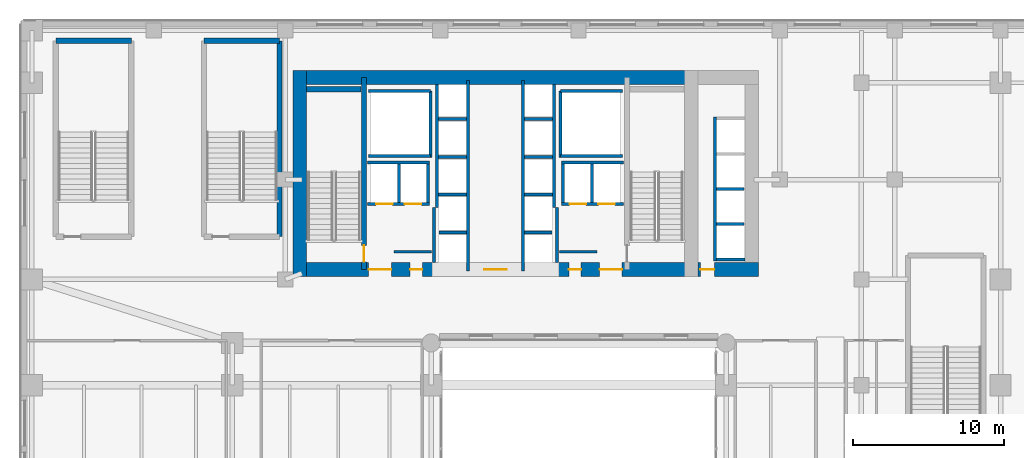
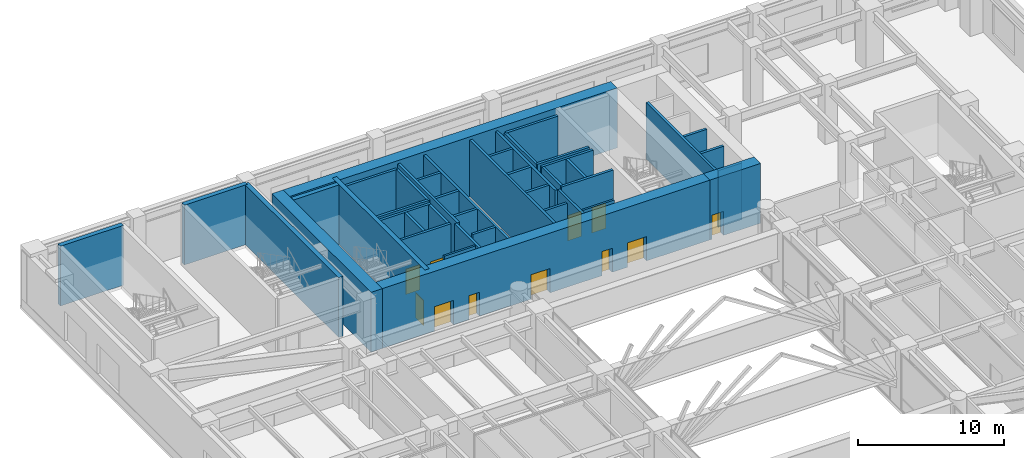
# One storey, part 29 of 39: 43 walls, 11 doors, 11 openings.
"""IFC4 building model written with IfcOpenShell, lengths in metres."""

from ifc_helpers import new_model, si_unit, direction, frame, frame_2d, origin, place, context, subcontext, project, spatial, rectangle, extrude, source, transform, mapped, material, layer, layer_set, type_object, type_shapes, element, fill, save


model = new_model("IFC4")

# Units and contexts
model_context = context("Model", 3, precision=1e-05, world=origin(), true_north=direction((0.0, 1.0)))
body_context = subcontext(model_context, "Body", "Model", "MODEL_VIEW")
ifc_project = project(units=[si_unit("LENGTHUNIT", "METRE"), si_unit("AREAUNIT", "SQUARE_METRE"), si_unit("VOLUMEUNIT", "CUBIC_METRE"), si_unit("PLANEANGLEUNIT", "RADIAN"), si_unit("MASSUNIT", "GRAM", prefix="KILO")], contexts=[model_context])

# Site, building, storey
site_placement = place(None, origin())
site = spatial("IfcSite", under=ifc_project, at=site_placement, CompositionType="ELEMENT")
building_placement = place(site_placement, origin())
building = spatial("IfcBuilding", under=site, at=building_placement, Name="Tolvann Quenvar Hotel", CompositionType="ELEMENT")
storey_placement = place(building_placement, frame((0.0, 0.0, 11.0)))
storey = spatial("IfcBuildingStorey", under=building, at=storey_placement, Name="L02", CompositionType="ELEMENT", Elevation=11.0)

# Wall, openings, doors
ifc_material_1 = material(Name="Concrete S80 (80 MPa)", Category="concrete")
ifc_layer_1 = layer(ifc_material_1, 0.89990234375)
ifc_layer_set_1 = layer_set([ifc_layer_1], Name="Concrete S80 (80 MPa)")
wall_type_1 = type_object("IfcWallType", Name="WALL_CORE_900", PredefinedType="SHEAR", material=ifc_layer_set_1)
wall_1_placement = place(storey_placement, frame((9.60009765625, 32.050048828125, 0.0), z_axis=(0.0, 0.0, 1.0), x_axis=(1.0, 0.0, 0.0)))
wall_1 = element("IfcWall", 1, at=wall_1_placement, inside=storey, type_object=wall_type_1, Name="Rear Core S Shear Wall (L02)", PredefinedType="SHEAR", context=body_context, shape_type="SweptSolid", body=[
    extrude(rectangle(XDim=26.7998046875, YDim=0.89990234375, at=frame_2d((13.39990234375, 0.0))), origin(), (0.0, 0.0, 1.0), 5.0),
])
opening_1_placement = place(wall_1_placement, frame((6.52001953125, 0.0, 0.0), z_axis=(0.0, 0.0, 1.0), x_axis=(-1.0, 0.0, 0.0)))
opening_1 = element("IfcOpeningElement", 2, at=opening_1_placement, cuts=wall_1, Name="Opening FD-60D", PredefinedType="OPENING", context=body_context, shape_type="SweptSolid", body=[
    extrude(rectangle(XDim=1.5, YDim=2.0400390625, at=frame_2d((0.75, 1.02001953125))), frame((0.0, 0.4599609375, 0.0), z_axis=(0.0, -1.0, 0.0), x_axis=(1.0, 0.0, 0.0)), (0.0, 0.0, 1.0), 0.919921875),
])
opening_2_placement = place(wall_1_placement, frame((14.14990234375, 0.0, 0.0), z_axis=(0.0, 0.0, 1.0), x_axis=(-1.0, 0.0, 0.0)))
opening_2 = element("IfcOpeningElement", 3, at=opening_2_placement, cuts=wall_1, Name="Opening FD-60D", PredefinedType="OPENING", context=body_context, shape_type="SweptSolid", body=[
    extrude(rectangle(XDim=1.5, YDim=2.0400390625, at=frame_2d((0.75, 1.02001953125))), frame((0.0, 0.4599609375, 0.0), z_axis=(0.0, -1.0, 0.0), x_axis=(1.0, 0.0, 0.0)), (0.0, 0.0, 1.0), 0.919921875),
])
opening_3_placement = place(wall_1_placement, frame((21.780029296875, 0.0, 0.0), z_axis=(0.0, 0.0, 1.0), x_axis=(-1.0, 0.0, 0.0)))
opening_3 = element("IfcOpeningElement", 4, at=opening_3_placement, cuts=wall_1, Name="Opening FD-60D", PredefinedType="OPENING", context=body_context, shape_type="SweptSolid", body=[
    extrude(rectangle(XDim=1.5, YDim=2.0400390625, at=frame_2d((0.75, 1.02001953125))), frame((0.0, 0.4599609375, 0.0), z_axis=(0.0, -1.0, 0.0), x_axis=(1.0, 0.0, 0.0)), (0.0, 0.0, 1.0), 0.919921875),
])
opening_4_placement = place(wall_1_placement, frame((8.570068359375, 0.0, 0.0), z_axis=(0.0, 0.0, 1.0), x_axis=(-1.0, 0.0, 0.0)))
opening_4 = element("IfcOpeningElement", 5, at=opening_4_placement, cuts=wall_1, Name="Opening HD-02", PredefinedType="OPENING", context=body_context, shape_type="SweptSolid", body=[
    extrude(rectangle(XDim=0.820068359375, YDim=2.010009765625, at=frame_2d((0.41015625, 1.0048828125))), frame((0.0, 0.4599609375, 0.0), z_axis=(0.0, -1.0, 0.0), x_axis=(1.0, 0.0, 0.0)), (0.0, 0.0, 1.0), 0.919921875),
])
opening_5_placement = place(wall_1_placement, frame((19.070068359375, 0.0, 0.0), z_axis=(0.0, 0.0, 1.0), x_axis=(-1.0, 0.0, 0.0)))
opening_5 = element("IfcOpeningElement", 6, at=opening_5_placement, cuts=wall_1, Name="Opening HD-02", PredefinedType="OPENING", context=body_context, shape_type="SweptSolid", body=[
    extrude(rectangle(XDim=0.820068359375, YDim=2.010009765625, at=frame_2d((0.41015625, 1.0048828125))), frame((0.0, 0.4599609375, 0.0), z_axis=(0.0, -1.0, 0.0), x_axis=(1.0, 0.0, 0.0)), (0.0, 0.0, 1.0), 0.919921875),
])
ifc_material_2 = material(Name="Solid-core American oak acoustic fire door leaf in steel frame", Category="steel")
door_type_1 = type_object("IfcDoorType", Name="DOOR_FIRE_LOBBY_1500", OperationType="NOTDEFINED", PredefinedType="DOOR", material=ifc_material_2)
shared_shape_1 = source(origin(), body_context, "Body", "SweptSolid", [
    extrude(rectangle(XDim=1.5, YDim=2.0400390625, at=frame_2d((0.75, 1.02001953125))), frame((0.0, 0.02490234375, 0.0), z_axis=(0.0, -1.0, 0.0), x_axis=(1.0, 0.0, 0.0)), (0.0, 0.0, 1.0), 0.050048828125),
])
type_shapes(door_type_1, [shared_shape_1])
door_1_placement = place(opening_1_placement, origin())
door_1 = element("IfcDoor", 7, at=door_1_placement, inside=storey, type_object=door_type_1, Name="Core Lobby Fire Door FFW (L02)", OperationType="DOUBLE_DOOR_SINGLE_SWING", OverallHeight=2.0400390625, OverallWidth=1.5, PredefinedType="DOOR", context=body_context, shape_type="MappedRepresentation", body=[
    mapped(shared_shape_1, transform((0.0, 0.0, 0.0), x_axis=(1.0, 0.0, 0.0), y_axis=(0.0, 1.0, 0.0), z_axis=(0.0, 0.0, 1.0), scale=1.0)),
])
fill(opening_1, door_1)
door_2_placement = place(opening_2_placement, origin())
door_2 = element("IfcDoor", 8, at=door_2_placement, inside=storey, type_object=door_type_1, Name="Core Lobby Fire Door CLOB (L02)", OperationType="DOUBLE_DOOR_SINGLE_SWING", OverallHeight=2.0400390625, OverallWidth=1.5, PredefinedType="DOOR", context=body_context, shape_type="MappedRepresentation", body=[
    mapped(shared_shape_1, transform((0.0, 0.0, 0.0), x_axis=(1.0, 0.0, 0.0), y_axis=(0.0, 1.0, 0.0), z_axis=(0.0, 0.0, 1.0), scale=1.0)),
])
fill(opening_2, door_2)
door_3_placement = place(opening_3_placement, origin())
door_3 = element("IfcDoor", 9, at=door_3_placement, inside=storey, type_object=door_type_1, Name="Core Lobby Fire Door FFE (L02)", OperationType="DOUBLE_DOOR_SINGLE_SWING", OverallHeight=2.0400390625, OverallWidth=1.5, PredefinedType="DOOR", context=body_context, shape_type="MappedRepresentation", body=[
    mapped(shared_shape_1, transform((0.0, 0.0, 0.0), x_axis=(1.0, 0.0, 0.0), y_axis=(0.0, 1.0, 0.0), z_axis=(0.0, 0.0, 1.0), scale=1.0)),
])
fill(opening_3, door_3)
ifc_material_3 = material(Name="Pressed galvanised steel fire-rated door set", Category="steel")
door_type_2 = type_object("IfcDoorType", Name="DOOR_STORE_820", OperationType="NOTDEFINED", PredefinedType="DOOR", material=ifc_material_3)
shared_shape_2 = source(origin(), body_context, "Body", "SweptSolid", [
    extrude(rectangle(XDim=0.820068359375, YDim=2.010009765625, at=frame_2d((0.41015625, 1.0048828125))), frame((0.0, 0.02490234375, 0.0), z_axis=(0.0, -1.0, 0.0), x_axis=(1.0, 0.0, 0.0)), (0.0, 0.0, 1.0), 0.050048828125),
])
type_shapes(door_type_2, [shared_shape_2])
door_4_placement = place(opening_4_placement, origin())
door_4 = element("IfcDoor", 10, at=door_4_placement, inside=storey, type_object=door_type_2, Name="Core Linen Store Fire Door (L02)", OperationType="SINGLE_SWING_RIGHT", OverallHeight=2.010009765625, OverallWidth=0.820068359375, PredefinedType="DOOR", context=body_context, shape_type="MappedRepresentation", body=[
    mapped(shared_shape_2, transform((0.0, 0.0, 0.0), x_axis=(1.0, 0.0, 0.0), y_axis=(0.0, 1.0, 0.0), z_axis=(0.0, 0.0, 1.0), scale=1.0)),
])
fill(opening_4, door_4)
door_5_placement = place(opening_5_placement, origin())
door_5 = element("IfcDoor", 11, at=door_5_placement, inside=storey, type_object=door_type_2, Name="Core Comms Closet Fire Door (L02)", OperationType="SINGLE_SWING_LEFT", OverallHeight=2.010009765625, OverallWidth=0.820068359375, PredefinedType="DOOR", context=body_context, shape_type="MappedRepresentation", body=[
    mapped(shared_shape_2, transform((0.0, 0.0, 0.0), x_axis=(1.0, 0.0, 0.0), y_axis=(0.0, 1.0, 0.0), z_axis=(0.0, 0.0, 1.0), scale=1.0)),
])
fill(opening_5, door_5)

# Walls
wall_2_placement = place(storey_placement, frame((9.60009765625, 44.75, 0.0), z_axis=(0.0, 0.0, 1.0), x_axis=(1.0, 0.0, 0.0)))
element("IfcWall", 12, at=wall_2_placement, inside=storey, type_object=wall_type_1, Name="Rear Core N Shear Wall (L02)", PredefinedType="SHEAR", context=body_context, shape_type="SweptSolid", body=[
    extrude(rectangle(XDim=26.7998046875, YDim=0.89990234375, at=frame_2d((13.39990234375, 0.0))), origin(), (0.0, 0.0, 1.0), 5.0),
])
wall_3_placement = place(storey_placement, frame((10.050048828125, 31.60009765625, 0.0), z_axis=(0.0, 0.0, 1.0), x_axis=(0.0, 1.0, 0.0)))
element("IfcWall", 13, at=wall_3_placement, inside=storey, type_object=wall_type_1, Name="Rear Core W Shear Wall (L02)", PredefinedType="SHEAR", context=body_context, shape_type="SweptSolid", body=[
    extrude(rectangle(XDim=13.599853515625, YDim=0.89990234375, at=frame_2d((6.7998046875, 0.0))), origin(), (0.0, 0.0, 1.0), 5.0),
])

# Wall, opening, door
wall_4_placement = place(storey_placement, frame((36.39990234375, 32.050048828125, 0.0), z_axis=(0.0, 0.0, 1.0), x_axis=(1.0, 0.0, 0.0)))
wall_4 = element("IfcWall", 14, at=wall_4_placement, inside=storey, type_object=wall_type_1, Name="Core East Annex Shear Wall ANN-S (L02)", PredefinedType="SHEAR", context=body_context, shape_type="SweptSolid", body=[
    extrude(rectangle(XDim=4.0, YDim=0.89990234375, at=frame_2d((2.0, 0.0))), origin(), (0.0, 0.0, 1.0), 5.0),
])
opening_6_placement = place(wall_4_placement, frame((1.06982421875, 0.0, 0.0), z_axis=(0.0, 0.0, 1.0), x_axis=(-1.0, 0.0, 0.0)))
opening_6 = element("IfcOpeningElement", 15, at=opening_6_placement, cuts=wall_4, Name="Opening WD-01", PredefinedType="OPENING", context=body_context, shape_type="SweptSolid", body=[
    extrude(rectangle(XDim=0.919921875, YDim=2.010009765625, at=frame_2d((0.4599609375, 1.0048828125))), frame((0.0, 0.4599609375, 0.0), z_axis=(0.0, -1.0, 0.0), x_axis=(1.0, 0.0, 0.0)), (0.0, 0.0, 1.0), 0.919921875),
])
door_type_3 = type_object("IfcDoorType", Name="DOOR_WC_920", OperationType="NOTDEFINED", PredefinedType="DOOR", material=ifc_material_2)
shared_shape_3 = source(origin(), body_context, "Body", "SweptSolid", [
    extrude(rectangle(XDim=0.919921875, YDim=2.010009765625, at=frame_2d((0.4599609375, 1.0048828125))), frame((0.0, 0.02490234375, 0.0), z_axis=(0.0, -1.0, 0.0), x_axis=(1.0, 0.0, 0.0)), (0.0, 0.0, 1.0), 0.050048828125),
])
type_shapes(door_type_3, [shared_shape_3])
door_6_placement = place(opening_6_placement, origin())
door_6 = element("IfcDoor", 16, at=door_6_placement, inside=storey, type_object=door_type_3, Name="Low-Rise Lift Lobby Fire Door (L02)", OperationType="SINGLE_SWING_RIGHT", OverallHeight=2.010009765625, OverallWidth=0.919921875, PredefinedType="DOOR", context=body_context, shape_type="MappedRepresentation", body=[
    mapped(shared_shape_3, transform((0.0, 0.0, 0.0), x_axis=(1.0, 0.0, 0.0), y_axis=(0.0, 1.0, 0.0), z_axis=(0.0, 0.0, 1.0), scale=1.0)),
])
fill(opening_6, door_6)

ifc_material_4 = material(Name="Concrete S65 (65 MPa)", Category="concrete")
ifc_layer_2 = layer(ifc_material_4, 0.35009765625)
ifc_layer_set_2 = layer_set([ifc_layer_2], Name="Concrete S65 (65 MPa)")
wall_type_2 = type_object("IfcWallType", Name="WALL_CORE_INT_350", PredefinedType="SHEAR", material=ifc_layer_set_2)
wall_5_placement = place(storey_placement, frame((14.300048828125, 32.050048828125, 0.0), z_axis=(0.0, 0.0, 1.0), x_axis=(0.0, 1.0, 0.0)))
wall_5 = element("IfcWall", 17, at=wall_5_placement, inside=storey, type_object=wall_type_2, Name="Core Internal Web Shear Wall WEB-W (L02)", PredefinedType="SHEAR", context=body_context, shape_type="SweptSolid", body=[
    extrude(rectangle(XDim=12.699951171875, YDim=0.35009765625, at=frame_2d((6.35009765625, 0.0))), origin(), (0.0, 0.0, 1.0), 5.0),
])
opening_7_placement = place(wall_5_placement, frame((0.5, 0.0, 0.0)))
opening_7 = element("IfcOpeningElement", 18, at=opening_7_placement, cuts=wall_5, Name="Opening FD-120", PredefinedType="OPENING", context=body_context, shape_type="SweptSolid", body=[
    extrude(rectangle(XDim=1.10009765625, YDim=2.1201171875, at=frame_2d((0.550048828125, 1.06005859375))), frame((0.0, 0.18505859375, 0.0), z_axis=(0.0, -1.0, 0.0), x_axis=(1.0, 0.0, 0.0)), (0.0, 0.0, 1.0), 0.3701171875),
])
door_type_4 = type_object("IfcDoorType", Name="DOOR_FIRE_STAIR_1100", OperationType="NOTDEFINED", PredefinedType="DOOR", material=ifc_material_3)
shared_shape_4 = source(origin(), body_context, "Body", "SweptSolid", [
    extrude(rectangle(XDim=1.10009765625, YDim=2.1201171875, at=frame_2d((0.550048828125, 1.06005859375))), frame((0.0, 0.02490234375, 0.0), z_axis=(0.0, -1.0, 0.0), x_axis=(1.0, 0.0, 0.0)), (0.0, 0.0, 1.0), 0.050048828125),
])
type_shapes(door_type_4, [shared_shape_4])
door_7_placement = place(opening_7_placement, origin())
door_7 = element("IfcDoor", 19, at=door_7_placement, inside=storey, type_object=door_type_4, Name="Exit Stair ST-C1 Fire Door (L02)", OperationType="SINGLE_SWING_RIGHT", OverallHeight=2.1201171875, OverallWidth=1.10009765625, PredefinedType="DOOR", context=body_context, shape_type="MappedRepresentation", body=[
    mapped(shared_shape_4, transform((0.0, 0.0, 0.0), x_axis=(1.0, 0.0, 0.0), y_axis=(0.0, 1.0, 0.0), z_axis=(0.0, 0.0, 1.0), scale=1.0)),
])
fill(opening_7, door_7)

# Walls
wall_6_placement = place(storey_placement, frame((10.52001953125, 43.97509765625, 0.0), z_axis=(0.0, 0.0, 1.0), x_axis=(1.0, 0.0, 0.0)))
element("IfcWall", 20, at=wall_6_placement, inside=storey, type_object=wall_type_2, Name="Core Stair North Closing Shear Wall STC1-N (L02)", PredefinedType="SHEAR", context=body_context, shape_type="SweptSolid", body=[
    extrude(rectangle(XDim=3.60009765625, YDim=0.35009765625, at=frame_2d((1.800048828125, 0.0))), origin(), (0.0, 0.0, 1.0), 5.0),
])
wall_7_placement = place(storey_placement, frame((-1.074951171875, 47.175048828125, 0.0), z_axis=(0.0, 0.0, 1.0), x_axis=(-1.0, 0.0, 0.0)))
element("IfcWall", 21, at=wall_7_placement, inside=storey, type_object=wall_type_2, Name="Stairwell ST-P1 Structural Shaft Wall N (L02)", PredefinedType="SHEAR", context=body_context, shape_type="SweptSolid", body=[
    extrude(rectangle(XDim=5.0, YDim=0.35009765625, at=frame_2d((2.5, 0.0))), origin(), (0.0, 0.0, 1.0), 5.0),
])
wall_8_placement = place(storey_placement, frame((8.72509765625, 34.22509765625, 0.0), z_axis=(0.0, 0.0, 1.0), x_axis=(0.0, 1.0, 0.0)))
element("IfcWall", 22, at=wall_8_placement, inside=storey, type_object=wall_type_2, Name="Stairwell ST-P2 Structural Shaft Wall E (L02)", PredefinedType="SHEAR", context=body_context, shape_type="SweptSolid", body=[
    extrude(rectangle(XDim=12.949951171875, YDim=0.35009765625, at=frame_2d((6.47509765625, 0.0))), origin(), (0.0, 0.0, 1.0), 5.0),
])
wall_9_placement = place(storey_placement, frame((8.72509765625, 47.175048828125, 0.0), z_axis=(0.0, 0.0, 1.0), x_axis=(-1.0, 0.0, 0.0)))
element("IfcWall", 23, at=wall_9_placement, inside=storey, type_object=wall_type_2, Name="Stairwell ST-P2 Structural Shaft Wall N (L02)", PredefinedType="SHEAR", context=body_context, shape_type="SweptSolid", body=[
    extrude(rectangle(XDim=5.0, YDim=0.35009765625, at=frame_2d((2.5, 0.0))), origin(), (0.0, 0.0, 1.0), 5.0),
])
ifc_material_5 = material(Name="Acoustic twin-stud fire-rated gypsum plasterboard partition")
ifc_layer_3 = layer(ifc_material_5, 0.14990234375)
ifc_layer_set_3 = layer_set([ifc_layer_3], Name="Acoustic twin-stud fire-rated gypsum plasterboard partition")
wall_type_3 = type_object("IfcWallType", Name="WALL_PART_SUITE_150", PredefinedType="PARTITIONING", material=ifc_layer_set_3)
for number, where, z_axis, x_axis, name in (
    (24, (16.280029296875, 33.219970703125, 0.0), (0.0, 0.0, 1.0), (1.0, 0.0, 0.0), "Interior Partition PT-SPC-L02-CSW-1-N"),
    (25, (27.235107421875, 33.219970703125, 0.0), (0.0, 0.0, 1.0), (1.0, 0.0, 0.0), "Interior Partition PT-SPC-L02-CSE-2-N"),
):
    element("IfcWall", number, at=place(storey_placement, frame(where, z_axis=z_axis, x_axis=x_axis)), inside=storey, type_object=wall_type_3, Name=name, PredefinedType="PARTITIONING", context=body_context, shape_type="SweptSolid", body=[
        extrude(rectangle(XDim=2.48486328125, YDim=0.14990234375, at=frame_2d((1.242431640625, 0.0))), origin(), (0.0, 0.0, 1.0), 4.739990234375),
    ])
ifc_material_6 = material(Name="Concrete N40 (40 MPa)", Category="concrete")
ifc_layer_4 = layer(ifc_material_6, 0.199951171875)
ifc_layer_set_4 = layer_set([ifc_layer_4], Name="Concrete N40 (40 MPa)")
wall_type_4 = type_object("IfcWallType", Name="WALL_SHAFT_200", PredefinedType="SOLIDWALL", material=ifc_layer_set_4)
wall_10_placement = place(storey_placement, frame((18.699951171875, 39.449951171875, 0.0), z_axis=(0.0, 0.0, 1.0), x_axis=(0.0, 1.0, 0.0)))
element("IfcWall", 26, at=wall_10_placement, inside=storey, type_object=wall_type_4, Name="Service Riser W Shaft Wall IN (L02)", PredefinedType="SOLIDWALL", context=body_context, shape_type="SweptSolid", body=[
    extrude(rectangle(XDim=4.400146484375, YDim=0.199951171875, at=frame_2d((2.2001953125, 0.0))), origin(), (0.0, 0.0, 1.0), 4.739990234375),
])
for number, where, z_axis, x_axis, name in (
    (27, (14.60009765625, 39.550048828125, 0.0), (0.0, 0.0, 1.0), (1.0, 0.0, 0.0), "Service Riser W Shaft Wall S (L02)"),
    (28, (14.60009765625, 43.85009765625, 0.0), (0.0, 0.0, 1.0), (1.0, 0.0, 0.0), "Service Riser W Shaft Wall N (L02)"),
):
    element("IfcWall", number, at=place(storey_placement, frame(where, z_axis=z_axis, x_axis=x_axis)), inside=storey, type_object=wall_type_4, Name=name, PredefinedType="SOLIDWALL", context=body_context, shape_type="SweptSolid", body=[
        extrude(rectangle(XDim=4.099853515625, YDim=0.199951171875, at=frame_2d((2.0498046875, 0.0))), origin(), (0.0, 0.0, 1.0), 4.739990234375),
    ])
wall_11_placement = place(storey_placement, frame((27.300048828125, 39.449951171875, 0.0), z_axis=(0.0, 0.0, 1.0), x_axis=(0.0, 1.0, 0.0)))
element("IfcWall", 29, at=wall_11_placement, inside=storey, type_object=wall_type_4, Name="Service Riser E Shaft Wall IN (L02)", PredefinedType="SOLIDWALL", context=body_context, shape_type="SweptSolid", body=[
    extrude(rectangle(XDim=4.400146484375, YDim=0.199951171875, at=frame_2d((2.2001953125, 0.0))), origin(), (0.0, 0.0, 1.0), 4.739990234375),
])
for number, where, z_axis, x_axis, name in (
    (30, (27.300048828125, 39.550048828125, 0.0), (0.0, 0.0, 1.0), (1.0, 0.0, 0.0), "Service Riser E Shaft Wall S (L02)"),
    (31, (27.300048828125, 43.85009765625, 0.0), (0.0, 0.0, 1.0), (1.0, 0.0, 0.0), "Service Riser E Shaft Wall N (L02)"),
):
    element("IfcWall", number, at=place(storey_placement, frame(where, z_axis=z_axis, x_axis=x_axis)), inside=storey, type_object=wall_type_4, Name=name, PredefinedType="SOLIDWALL", context=body_context, shape_type="SweptSolid", body=[
        extrude(rectangle(XDim=4.099853515625, YDim=0.199951171875, at=frame_2d((2.0498046875, 0.0))), origin(), (0.0, 0.0, 1.0), 4.739990234375),
    ])
for number, where, z_axis, x_axis, name in (
    (32, (18.919921875, 32.50390625, 0.0), (0.0, 0.0, 1.0), (0.0, 1.0, 0.0), "Firefighting Lobby W Inner Fire Wall (L02)"),
    (33, (27.080078125, 32.50390625, 0.0), (0.0, 0.0, 1.0), (0.0, 1.0, 0.0), "Firefighting Lobby E Inner Fire Wall (L02)"),
):
    element("IfcWall", number, at=place(storey_placement, frame(where, z_axis=z_axis, x_axis=x_axis)), inside=storey, type_object=wall_type_4, Name=name, PredefinedType="SOLIDWALL", context=body_context, shape_type="SweptSolid", body=[
        extrude(rectangle(XDim=3.64599609375, YDim=0.199951171875, at=frame_2d((1.822998046875, 0.0))), origin(), (0.0, 0.0, 1.0), 4.739990234375),
    ])
wall_12_placement = place(storey_placement, frame((21.169921875, 31.9599609375, 0.0), z_axis=(0.0, 0.0, 1.0), x_axis=(0.0, 1.0, 0.0)))
element("IfcWall", 34, at=wall_12_placement, inside=storey, type_object=wall_type_4, Name="Lift Bank E21.1C1 Hoistway Front Wall (L02)", PredefinedType="SOLIDWALL", context=body_context, shape_type="SweptSolid", body=[
    extrude(rectangle(XDim=12.580078125, YDim=0.199951171875, at=frame_2d((6.2900390625, 0.0))), origin(), (0.0, 0.0, 1.0), 4.739990234375),
])
wall_13_placement = place(storey_placement, frame((19.1298828125, 36.159912109375, 0.0), z_axis=(0.0, 0.0, 1.0), x_axis=(0.0, 1.0, 0.0)))
element("IfcWall", 35, at=wall_13_placement, inside=storey, type_object=wall_type_4, Name="Lift Bank E21.1C1 Hoistway Rear Wall (L02)", PredefinedType="SOLIDWALL", context=body_context, shape_type="SweptSolid", body=[
    extrude(rectangle(XDim=8.135986328125, YDim=0.199951171875, at=frame_2d((4.06787109375, 0.0))), origin(), (0.0, 0.0, 1.0), 4.739990234375),
])
wall_14_placement = place(storey_placement, frame((19.27001953125, 34.5, 0.0), z_axis=(0.0, 0.0, 1.0), x_axis=(1.0, 0.0, 0.0)))
element("IfcWall", 36, at=wall_14_placement, inside=storey, type_object=wall_type_4, Name="Lift Bank E21.1C1 Divider Wall 1 (L02)", PredefinedType="SOLIDWALL", context=body_context, shape_type="SweptSolid", body=[
    extrude(rectangle(XDim=1.800048828125, YDim=0.199951171875, at=frame_2d((0.89990234375, 0.0))), origin(), (0.0, 0.0, 1.0), 4.739990234375),
])
for number, where, z_axis, x_axis, name in (
    (37, (19.22998046875, 37.0, 0.0), (0.0, 0.0, 1.0), (1.0, 0.0, 0.0), "Lift Bank E21.1C1 Divider Wall 2 (L02)"),
    (38, (19.22998046875, 39.5, 0.0), (0.0, 0.0, 1.0), (1.0, 0.0, 0.0), "Lift Bank E21.1C1 Divider Wall 3 (L02)"),
    (39, (19.22998046875, 42.0, 0.0), (0.0, 0.0, 1.0), (1.0, 0.0, 0.0), "Lift Bank E21.1C1 Divider Wall 4 (L02)"),
):
    element("IfcWall", number, at=place(storey_placement, frame(where, z_axis=z_axis, x_axis=x_axis)), inside=storey, type_object=wall_type_4, Name=name, PredefinedType="SOLIDWALL", context=body_context, shape_type="SweptSolid", body=[
        extrude(rectangle(XDim=1.840087890625, YDim=0.199951171875, at=frame_2d((0.919921875, 0.0))), origin(), (0.0, 0.0, 1.0), 4.739990234375),
    ])

# Wall, openings, doors
wall_15_placement = place(storey_placement, frame((27.375, 36.3798828125, 0.0), z_axis=(0.0, 0.0, 1.0), x_axis=(1.0, 0.0, 0.0)))
wall_15 = element("IfcWall", 40, at=wall_15_placement, inside=storey, type_object=wall_type_4, Name="Lift Bank SEC1 Hoistway Front Wall (L02)", PredefinedType="SOLIDWALL", context=body_context, shape_type="SweptSolid", body=[
    extrude(rectangle(XDim=4.074951171875, YDim=0.199951171875, at=frame_2d((2.03759765625, 0.0))), origin(), (0.0, 0.0, 1.0), 4.739990234375),
])
opening_8_placement = place(wall_15_placement, frame((0.52490234375, 0.0, 0.0)))
opening_8 = element("IfcOpeningElement", 41, at=opening_8_placement, cuts=wall_15, Name="Opening LD-01", PredefinedType="OPENING", context=body_context, shape_type="SweptSolid", body=[
    extrude(rectangle(XDim=1.10009765625, YDim=2.1201171875, at=frame_2d((0.550048828125, 1.06005859375))), frame((0.0, 0.10986328125, 0.0), z_axis=(0.0, -1.0, 0.0), x_axis=(1.0, 0.0, 0.0)), (0.0, 0.0, 1.0), 0.219970703125),
])
opening_9_placement = place(wall_15_placement, frame((2.425048828125, 0.0, 0.0)))
opening_9 = element("IfcOpeningElement", 42, at=opening_9_placement, cuts=wall_15, Name="Opening LD-01", PredefinedType="OPENING", context=body_context, shape_type="SweptSolid", body=[
    extrude(rectangle(XDim=1.10009765625, YDim=2.1201171875, at=frame_2d((0.550048828125, 1.06005859375))), frame((0.0, 0.10986328125, 0.0), z_axis=(0.0, -1.0, 0.0), x_axis=(1.0, 0.0, 0.0)), (0.0, 0.0, 1.0), 0.219970703125),
])
ifc_material_7 = material(Name="Brushed 316 stainless steel automatic sliding lift landing door", Category="steel")
door_type_5 = type_object("IfcDoorType", Name="DOOR_LIFT_SLIDE_1100", OperationType="NOTDEFINED", PredefinedType="DOOR", material=ifc_material_7)
shared_shape_5 = source(origin(), body_context, "Body", "SweptSolid", [
    extrude(rectangle(XDim=1.10009765625, YDim=2.1201171875, at=frame_2d((0.550048828125, 1.06005859375))), frame((0.0, 0.02490234375, 0.0), z_axis=(0.0, -1.0, 0.0), x_axis=(1.0, 0.0, 0.0)), (0.0, 0.0, 1.0), 0.050048828125),
])
type_shapes(door_type_5, [shared_shape_5])
door_8_placement = place(opening_8_placement, origin())
door_8 = element("IfcDoor", 43, at=door_8_placement, inside=storey, type_object=door_type_5, Name="Lift SV-2 Sliding Landing Door (L02)", OperationType="SLIDING_TO_LEFT", OverallHeight=2.1201171875, OverallWidth=1.10009765625, PredefinedType="DOOR", context=body_context, shape_type="MappedRepresentation", body=[
    mapped(shared_shape_5, transform((0.0, 0.0, 0.0), x_axis=(1.0, 0.0, 0.0), y_axis=(0.0, 1.0, 0.0), z_axis=(0.0, 0.0, 1.0), scale=1.0)),
])
fill(opening_8, door_8)
door_9_placement = place(opening_9_placement, origin())
door_9 = element("IfcDoor", 44, at=door_9_placement, inside=storey, type_object=door_type_5, Name="Lift FF-2 Sliding Landing Door (L02)", OperationType="SLIDING_TO_RIGHT", OverallHeight=2.1201171875, OverallWidth=1.10009765625, PredefinedType="DOOR", context=body_context, shape_type="MappedRepresentation", body=[
    mapped(shared_shape_5, transform((0.0, 0.0, 0.0), x_axis=(1.0, 0.0, 0.0), y_axis=(0.0, 1.0, 0.0), z_axis=(0.0, 0.0, 1.0), scale=1.0)),
])
fill(opening_9, door_9)

# Walls
wall_16_placement = place(storey_placement, frame((27.375, 39.1201171875, 0.0), z_axis=(0.0, 0.0, 1.0), x_axis=(1.0, 0.0, 0.0)))
element("IfcWall", 45, at=wall_16_placement, inside=storey, type_object=wall_type_4, Name="Lift Bank SEC1 Hoistway Rear Wall (L02)", PredefinedType="SOLIDWALL", context=body_context, shape_type="SweptSolid", body=[
    extrude(rectangle(XDim=4.074951171875, YDim=0.199951171875, at=frame_2d((2.03759765625, 0.0))), origin(), (0.0, 0.0, 1.0), 4.739990234375),
])
for number, where, z_axis, x_axis, name in (
    (46, (27.47509765625, 36.47998046875, 0.0), (0.0, 0.0, 1.0), (0.0, 1.0, 0.0), "Lift Bank SEC1 Hoistway Cheek Wall 1 (L02)"),
    (47, (29.387451171875, 36.47998046875, 0.0), (0.0, 0.0, 1.0), (0.0, 1.0, 0.0), "Lift Bank SEC1 Divider Wall 1 (L02)"),
):
    element("IfcWall", number, at=place(storey_placement, frame(where, z_axis=z_axis, x_axis=x_axis)), inside=storey, type_object=wall_type_4, Name=name, PredefinedType="SOLIDWALL", context=body_context, shape_type="SweptSolid", body=[
        extrude(rectangle(XDim=2.5400390625, YDim=0.199951171875, at=frame_2d((1.27001953125, 0.0))), origin(), (0.0, 0.0, 1.0), 4.739990234375),
    ])

# Wall, openings, doors
wall_17_placement = place(storey_placement, frame((14.550048828125, 36.3798828125, 0.0), z_axis=(0.0, 0.0, 1.0), x_axis=(1.0, 0.0, 0.0)))
wall_17 = element("IfcWall", 48, at=wall_17_placement, inside=storey, type_object=wall_type_4, Name="Lift Bank SWC1 Hoistway Front Wall (L02)", PredefinedType="SOLIDWALL", context=body_context, shape_type="SweptSolid", body=[
    extrude(rectangle(XDim=4.074951171875, YDim=0.199951171875, at=frame_2d((2.03759765625, 0.0))), origin(), (0.0, 0.0, 1.0), 4.739990234375),
])
opening_10_placement = place(wall_17_placement, frame((0.550048828125, 0.0, 0.0)))
opening_10 = element("IfcOpeningElement", 49, at=opening_10_placement, cuts=wall_17, Name="Opening LD-01", PredefinedType="OPENING", context=body_context, shape_type="SweptSolid", body=[
    extrude(rectangle(XDim=1.10009765625, YDim=2.1201171875, at=frame_2d((0.550048828125, 1.06005859375))), frame((0.0, 0.10986328125, 0.0), z_axis=(0.0, -1.0, 0.0), x_axis=(1.0, 0.0, 0.0)), (0.0, 0.0, 1.0), 0.219970703125),
])
opening_11_placement = place(wall_17_placement, frame((2.449951171875, 0.0, 0.0)))
opening_11 = element("IfcOpeningElement", 50, at=opening_11_placement, cuts=wall_17, Name="Opening LD-01", PredefinedType="OPENING", context=body_context, shape_type="SweptSolid", body=[
    extrude(rectangle(XDim=1.10009765625, YDim=2.1201171875, at=frame_2d((0.550048828125, 1.06005859375))), frame((0.0, 0.10986328125, 0.0), z_axis=(0.0, -1.0, 0.0), x_axis=(1.0, 0.0, 0.0)), (0.0, 0.0, 1.0), 0.219970703125),
])
door_10_placement = place(opening_10_placement, origin())
door_10 = element("IfcDoor", 51, at=door_10_placement, inside=storey, type_object=door_type_5, Name="Lift FF-1 Sliding Landing Door (L02)", OperationType="SLIDING_TO_LEFT", OverallHeight=2.1201171875, OverallWidth=1.10009765625, PredefinedType="DOOR", context=body_context, shape_type="MappedRepresentation", body=[
    mapped(shared_shape_5, transform((0.0, 0.0, 0.0), x_axis=(1.0, 0.0, 0.0), y_axis=(0.0, 1.0, 0.0), z_axis=(0.0, 0.0, 1.0), scale=1.0)),
])
fill(opening_10, door_10)
door_11_placement = place(opening_11_placement, origin())
door_11 = element("IfcDoor", 52, at=door_11_placement, inside=storey, type_object=door_type_5, Name="Lift SV-1 Sliding Landing Door (L02)", OperationType="SLIDING_TO_RIGHT", OverallHeight=2.1201171875, OverallWidth=1.10009765625, PredefinedType="DOOR", context=body_context, shape_type="MappedRepresentation", body=[
    mapped(shared_shape_5, transform((0.0, 0.0, 0.0), x_axis=(1.0, 0.0, 0.0), y_axis=(0.0, 1.0, 0.0), z_axis=(0.0, 0.0, 1.0), scale=1.0)),
])
fill(opening_11, door_11)

# Walls
wall_18_placement = place(storey_placement, frame((14.550048828125, 39.1201171875, 0.0), z_axis=(0.0, 0.0, 1.0), x_axis=(1.0, 0.0, 0.0)))
element("IfcWall", 53, at=wall_18_placement, inside=storey, type_object=wall_type_4, Name="Lift Bank SWC1 Hoistway Rear Wall (L02)", PredefinedType="SOLIDWALL", context=body_context, shape_type="SweptSolid", body=[
    extrude(rectangle(XDim=4.074951171875, YDim=0.199951171875, at=frame_2d((2.03759765625, 0.0))), origin(), (0.0, 0.0, 1.0), 4.739990234375),
])
for number, where, z_axis, x_axis, name in (
    (54, (18.52490234375, 36.47998046875, 0.0), (0.0, 0.0, 1.0), (0.0, 1.0, 0.0), "Lift Bank SWC1 Hoistway Cheek Wall 2 (L02)"),
    (55, (16.612548828125, 36.47998046875, 0.0), (0.0, 0.0, 1.0), (0.0, 1.0, 0.0), "Lift Bank SWC1 Divider Wall 1 (L02)"),
):
    element("IfcWall", number, at=place(storey_placement, frame(where, z_axis=z_axis, x_axis=x_axis)), inside=storey, type_object=wall_type_4, Name=name, PredefinedType="SOLIDWALL", context=body_context, shape_type="SweptSolid", body=[
        extrude(rectangle(XDim=2.5400390625, YDim=0.199951171875, at=frame_2d((1.27001953125, 0.0))), origin(), (0.0, 0.0, 1.0), 4.739990234375),
    ])
wall_19_placement = place(storey_placement, frame((24.830078125, 31.9599609375, 0.0), z_axis=(0.0, 0.0, 1.0), x_axis=(0.0, 1.0, 0.0)))
element("IfcWall", 56, at=wall_19_placement, inside=storey, type_object=wall_type_4, Name="Lift Bank W24.9C1 Hoistway Front Wall (L02)", PredefinedType="SOLIDWALL", context=body_context, shape_type="SweptSolid", body=[
    extrude(rectangle(XDim=12.580078125, YDim=0.199951171875, at=frame_2d((6.2900390625, 0.0))), origin(), (0.0, 0.0, 1.0), 4.739990234375),
])
wall_20_placement = place(storey_placement, frame((26.8701171875, 36.159912109375, 0.0), z_axis=(0.0, 0.0, 1.0), x_axis=(0.0, 1.0, 0.0)))
element("IfcWall", 57, at=wall_20_placement, inside=storey, type_object=wall_type_4, Name="Lift Bank W24.9C1 Hoistway Rear Wall (L02)", PredefinedType="SOLIDWALL", context=body_context, shape_type="SweptSolid", body=[
    extrude(rectangle(XDim=8.135986328125, YDim=0.199951171875, at=frame_2d((4.06787109375, 0.0))), origin(), (0.0, 0.0, 1.0), 4.739990234375),
])
wall_21_placement = place(storey_placement, frame((24.929931640625, 34.5, 0.0), z_axis=(0.0, 0.0, 1.0), x_axis=(1.0, 0.0, 0.0)))
element("IfcWall", 58, at=wall_21_placement, inside=storey, type_object=wall_type_4, Name="Lift Bank W24.9C1 Divider Wall 1 (L02)", PredefinedType="SOLIDWALL", context=body_context, shape_type="SweptSolid", body=[
    extrude(rectangle(XDim=1.800048828125, YDim=0.199951171875, at=frame_2d((0.89990234375, 0.0))), origin(), (0.0, 0.0, 1.0), 4.739990234375),
])
for number, where, z_axis, x_axis, name in (
    (59, (24.929931640625, 37.0, 0.0), (0.0, 0.0, 1.0), (1.0, 0.0, 0.0), "Lift Bank W24.9C1 Divider Wall 2 (L02)"),
    (60, (24.929931640625, 39.5, 0.0), (0.0, 0.0, 1.0), (1.0, 0.0, 0.0), "Lift Bank W24.9C1 Divider Wall 3 (L02)"),
    (61, (24.929931640625, 42.0, 0.0), (0.0, 0.0, 1.0), (1.0, 0.0, 0.0), "Lift Bank W24.9C1 Divider Wall 4 (L02)"),
):
    element("IfcWall", number, at=place(storey_placement, frame(where, z_axis=z_axis, x_axis=x_axis)), inside=storey, type_object=wall_type_4, Name=name, PredefinedType="SOLIDWALL", context=body_context, shape_type="SweptSolid", body=[
        extrude(rectangle(XDim=1.840087890625, YDim=0.199951171875, at=frame_2d((0.919921875, 0.0))), origin(), (0.0, 0.0, 1.0), 4.739990234375),
    ])
wall_22_placement = place(storey_placement, frame((37.530029296875, 32.610107421875, 0.0), z_axis=(0.0, 0.0, 1.0), x_axis=(0.0, 1.0, 0.0)))
element("IfcWall", 62, at=wall_22_placement, inside=storey, type_object=wall_type_4, Name="Lift Bank W37.6C1 Hoistway Front Wall (L02)", PredefinedType="SOLIDWALL", context=body_context, shape_type="SweptSolid", body=[
    extrude(rectangle(XDim=9.539794921875, YDim=0.199951171875, at=frame_2d((4.77001953125, 0.0))), origin(), (0.0, 0.0, 1.0), 4.739990234375),
])
wall_23_placement = place(storey_placement, frame((37.6298828125, 32.7099609375, 0.0), z_axis=(0.0, 0.0, 1.0), x_axis=(1.0, 0.0, 0.0)))
element("IfcWall", 63, at=wall_23_placement, inside=storey, type_object=wall_type_4, Name="Lift Bank W37.6C1 Hoistway Cheek Wall 1 (L02)", PredefinedType="SOLIDWALL", context=body_context, shape_type="SweptSolid", body=[
    extrude(rectangle(XDim=1.8701171875, YDim=0.199951171875, at=frame_2d((0.93505859375, 0.0))), origin(), (0.0, 0.0, 1.0), 4.739990234375),
])
for number, where, z_axis, x_axis, name in (
    (64, (37.6298828125, 35.06005859375, 0.0), (0.0, 0.0, 1.0), (1.0, 0.0, 0.0), "Lift Bank W37.6C1 Divider Wall 1 (L02)"),
    (65, (37.6298828125, 37.3798828125, 0.0), (0.0, 0.0, 1.0), (1.0, 0.0, 0.0), "Lift Bank W37.6C1 Divider Wall 2 (L02)"),
):
    element("IfcWall", number, at=place(storey_placement, frame(where, z_axis=z_axis, x_axis=x_axis)), inside=storey, type_object=wall_type_4, Name=name, PredefinedType="SOLIDWALL", context=body_context, shape_type="SweptSolid", body=[
        extrude(rectangle(XDim=1.800048828125, YDim=0.199951171875, at=frame_2d((0.89990234375, 0.0))), origin(), (0.0, 0.0, 1.0), 4.739990234375),
    ])

save(model, "model.ifc")
